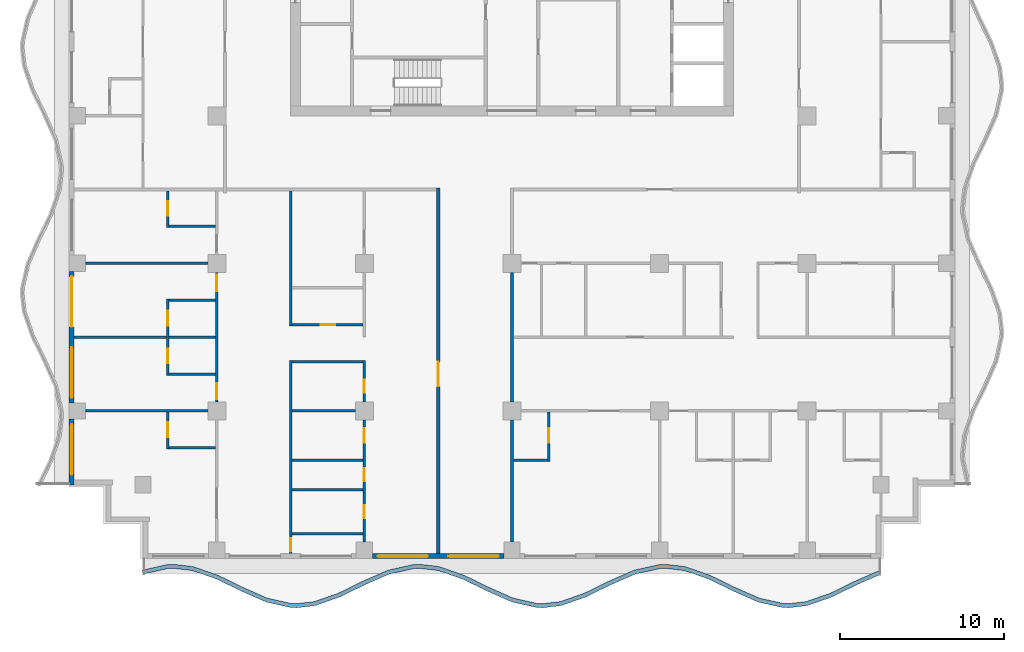
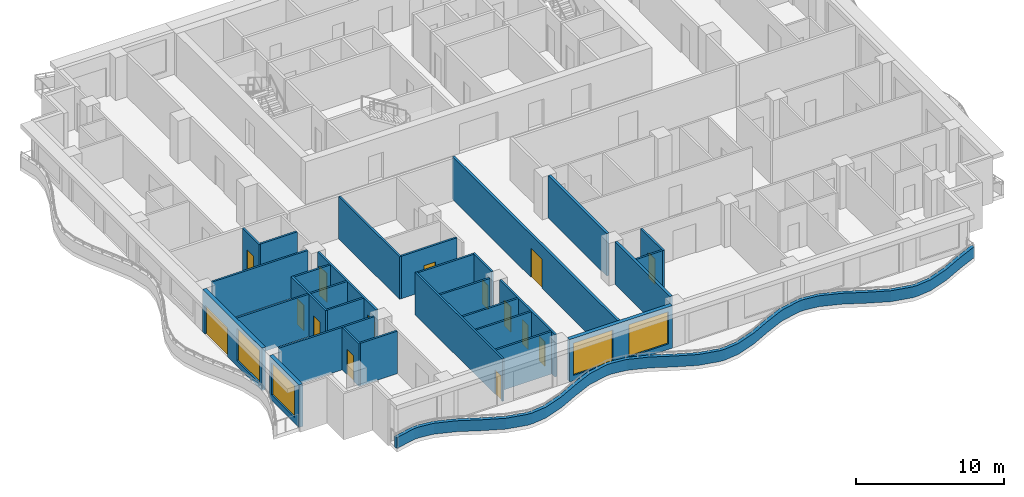
# One storey, part 2 of 11: 31 walls, 15 doors, 4 windows, 19 openings.
"""IFC4 building model written with IfcOpenShell, lengths in metres."""

from ifc_helpers import new_model, si_unit, direction, frame, frame_2d, origin, place, context, subcontext, project, spatial, polyline, rectangle, outline, extrude, material, layer, layer_set, type_object, element, fill, save


model = new_model("IFC4")

# Units and contexts
model_context = context("Model", 3, precision=1e-05, world=origin(), true_north=direction((0.0, 1.0)))
body_context = subcontext(model_context, "Body", "Model", "MODEL_VIEW")
ifc_project = project(units=[si_unit("LENGTHUNIT", "METRE"), si_unit("AREAUNIT", "SQUARE_METRE"), si_unit("VOLUMEUNIT", "CUBIC_METRE"), si_unit("PLANEANGLEUNIT", "RADIAN"), si_unit("MASSUNIT", "GRAM", prefix="KILO")], contexts=[model_context])

# Site, building, storey
site_placement = place(None, origin())
site = spatial("IfcSite", under=ifc_project, at=site_placement, CompositionType="ELEMENT")
building_placement = place(site_placement, origin())
building = spatial("IfcBuilding", under=site, at=building_placement, Name="Orbiselva Terraces", CompositionType="ELEMENT")
storey_placement = place(building_placement, frame((0.0, 0.0, 199.6)))
storey = spatial("IfcBuildingStorey", under=building, at=storey_placement, Name="L50", CompositionType="ELEMENT", Elevation=199.6)

# Wall
ifc_material_1 = material(Name="Concrete C40/50", Category="concrete")
ifc_layer_1 = layer(ifc_material_1, 0.25)
ifc_layer_set_1 = layer_set([ifc_layer_1], Name="Concrete C40/50")
wall_type_1 = type_object("IfcWallType", Name="ENV-PLANTER-250x900", PredefinedType="USERDEFINED", material=ifc_layer_set_1)
wall_1_placement = place(storey_placement, origin())
element("IfcWall", 1, at=wall_1_placement, inside=storey, type_object=wall_type_1, Name="Balcony planter L50 S", ObjectType="PLANTER", PredefinedType="USERDEFINED", context=body_context, shape_type="SweptSolid", body=[
    extrude(outline(polyline([(-22.5, -23.451472), (-21.0, -23.114774), (-20.625, -23.1), (-19.5, -23.230792), (-18.0, -23.755211), (-16.5, -24.487721), (-15.0, -25.148528), (-13.5, -25.485226), (-13.125, -25.5), (-12.0, -25.369208), (-10.5, -24.844789), (-9.0, -24.112279), (-7.5, -23.451472), (-6.0, -23.114774), (-5.625, -23.1), (-4.5, -23.230792), (-3.0, -23.755211), (-1.5, -24.487721), (0.0, -25.148528), (1.5, -25.485226), (1.875, -25.5), (3.0, -25.369208), (4.5, -24.844789), (6.0, -24.112279), (7.5, -23.451472), (9.0, -23.114774), (9.375, -23.1), (10.5, -23.230792), (12.0, -23.755211), (13.5, -24.487721), (15.0, -25.148528), (16.5, -25.485226), (16.875, -25.5), (18.0, -25.369208), (19.5, -24.844789), (21.0, -24.112279), (22.5, -23.451472), (22.399212, -23.222689), (20.894714, -23.885477), (19.40356, -24.613667), (17.943629, -25.124078), (16.865428, -25.249429), (16.532565, -25.236315), (15.078508, -24.90993), (13.605286, -24.260919), (12.09644, -23.524089), (10.556371, -22.985662), (9.384572, -22.849429), (8.967435, -22.865863), (7.421492, -23.212874), (5.894714, -23.885477), (4.40356, -24.613667), (2.943629, -25.124078), (1.865428, -25.249429), (1.532565, -25.236315), (0.078508, -24.90993), (-1.394714, -24.260919), (-2.90356, -23.524089), (-4.443629, -22.985662), (-5.615428, -22.849429), (-6.032565, -22.865863), (-7.578508, -23.212874), (-9.105286, -23.885477), (-10.59644, -24.613667), (-12.056371, -25.124078), (-13.134572, -25.249429), (-13.467435, -25.236315), (-14.921492, -24.90993), (-16.394714, -24.260919), (-17.90356, -23.524089), (-19.443629, -22.985662), (-20.615428, -22.849429), (-21.032565, -22.865863), (-22.554754, -23.207542), (-22.5, -23.451472)])), origin(), (0.0, 0.0, 1.0), 0.9),
])

# Wall, openings, windows
ifc_material_2 = material(Name="Terracotta cladding on masonry backing", Category="masonry")
ifc_layer_2 = layer(ifc_material_2, 0.3)
ifc_layer_set_2 = layer_set([ifc_layer_2], Name="Terracotta cladding on masonry backing")
wall_type_2 = type_object("IfcWallType", Name="ENV-WALL-TERRACOTTA-300", PredefinedType="SOLIDWALL", material=ifc_layer_set_2)
wall_2_placement = place(storey_placement, frame((-0.5, -22.35, 0.0), z_axis=(0.0, 0.0, 1.0), x_axis=(-1.0, 0.0, 0.0)))
wall_2 = element("IfcWall", 2, at=wall_2_placement, inside=storey, type_object=wall_type_2, Name="Facade wall L50 S", PredefinedType="SOLIDWALL", context=body_context, shape_type="SweptSolid", body=[
    extrude(rectangle(XDim=8.0, YDim=0.3, at=frame_2d((4.0, 0.0))), origin(), (0.0, 0.0, 1.0), 3.5),
])
opening_1_placement = place(wall_2_placement, frame((4.625, 0.0, 0.45)))
opening_1 = element("IfcOpeningElement", 3, at=opening_1_placement, cuts=wall_2, Name="Opening WN15", PredefinedType="OPENING", context=body_context, shape_type="SweptSolid", body=[
    extrude(rectangle(XDim=3.075, YDim=2.65, at=frame_2d((1.5375, 1.325))), frame((0.0, 0.16, 0.0), z_axis=(0.0, -1.0, 0.0), x_axis=(1.0, 0.0, 0.0)), (0.0, 0.0, 1.0), 0.32),
])
opening_2_placement = place(wall_2_placement, frame((0.3, 0.0, 0.45)))
opening_2 = element("IfcOpeningElement", 4, at=opening_2_placement, cuts=wall_2, Name="Opening WN15", PredefinedType="OPENING", context=body_context, shape_type="SweptSolid", body=[
    extrude(rectangle(XDim=3.075, YDim=2.65, at=frame_2d((1.5375, 1.325))), frame((0.0, 0.16, 0.0), z_axis=(0.0, -1.0, 0.0), x_axis=(1.0, 0.0, 0.0)), (0.0, 0.0, 1.0), 0.32),
])
ifc_material_3 = material(Name="Clear low-e glazing in aluminium frame", Category="aluminium")
window_type = type_object("IfcWindowType", Name="WINDOW 3075 X 2650 S450", PartitioningType="TRIPLE_PANEL_VERTICAL", PredefinedType="WINDOW", material=ifc_material_3)
window_1_placement = place(opening_1_placement, origin())
window_1 = element("IfcWindow", 5, at=window_1_placement, inside=storey, type_object=window_type, Name="Window L50 S", OverallHeight=2.65, OverallWidth=3.075, PartitioningType="SINGLE_PANEL", PredefinedType="WINDOW", context=body_context, shape_type="SweptSolid", body=[
    extrude(rectangle(XDim=3.075, YDim=2.65, at=frame_2d((1.5375, 1.325))), frame((0.0, 0.03, 0.0), z_axis=(0.0, -1.0, 0.0), x_axis=(1.0, 0.0, 0.0)), (0.0, 0.0, 1.0), 0.06),
])
fill(opening_1, window_1)
window_2_placement = place(opening_2_placement, origin())
window_2 = element("IfcWindow", 6, at=window_2_placement, inside=storey, type_object=window_type, Name="Window L50 S", OverallHeight=2.65, OverallWidth=3.075, PartitioningType="SINGLE_PANEL", PredefinedType="WINDOW", context=body_context, shape_type="SweptSolid", body=[
    extrude(rectangle(XDim=3.075, YDim=2.65, at=frame_2d((1.5375, 1.325))), frame((0.0, 0.03, 0.0), z_axis=(0.0, -1.0, 0.0), x_axis=(1.0, 0.0, 0.0)), (0.0, 0.0, 1.0), 0.06),
])
fill(opening_2, window_2)

# Wall, openings, door, window
wall_3_placement = place(storey_placement, frame((-26.85, -13.0, 0.0), z_axis=(0.0, 0.0, 1.0), x_axis=(0.0, 1.0, 0.0)))
wall_3 = element("IfcWall", 7, at=wall_3_placement, inside=storey, type_object=wall_type_2, Name="Facade wall L50 W", PredefinedType="SOLIDWALL", context=body_context, shape_type="SweptSolid", body=[
    extrude(rectangle(XDim=8.0, YDim=0.3, at=frame_2d((4.0, 0.0))), origin(), (0.0, 0.0, 1.0), 3.5),
])
opening_3_placement = place(wall_3_placement, frame((4.625, 0.0, 0.0)))
opening_3 = element("IfcOpeningElement", 8, at=opening_3_placement, cuts=wall_3, Name="Opening Z4-B-E21", PredefinedType="OPENING", context=body_context, shape_type="SweptSolid", body=[
    extrude(rectangle(XDim=3.075, YDim=2.4, at=frame_2d((1.5375, 1.2))), frame((0.0, 0.16, 0.0), z_axis=(0.0, -1.0, 0.0), x_axis=(1.0, 0.0, 0.0)), (0.0, 0.0, 1.0), 0.32),
])
opening_4_placement = place(wall_3_placement, frame((0.3, 0.0, 0.45)))
opening_4 = element("IfcOpeningElement", 9, at=opening_4_placement, cuts=wall_3, Name="Opening WN15", PredefinedType="OPENING", context=body_context, shape_type="SweptSolid", body=[
    extrude(rectangle(XDim=3.075, YDim=2.65, at=frame_2d((1.5375, 1.325))), frame((0.0, 0.16, 0.0), z_axis=(0.0, -1.0, 0.0), x_axis=(1.0, 0.0, 0.0)), (0.0, 0.0, 1.0), 0.32),
])
door_type_1 = type_object("IfcDoorType", Name="BALCONY DOOR 3075 X 2400", OperationType="DOUBLE_DOOR_SLIDING", PredefinedType="DOOR", material=ifc_material_3)
door_1_placement = place(opening_3_placement, origin())
door_1 = element("IfcDoor", 10, at=door_1_placement, inside=storey, type_object=door_type_1, Name="Z4-B-E21", OperationType="SINGLE_SWING_LEFT", OverallHeight=2.4, OverallWidth=3.075, PredefinedType="DOOR", context=body_context, shape_type="SweptSolid", body=[
    extrude(rectangle(XDim=3.075, YDim=2.4, at=frame_2d((1.5375, 1.2))), frame((0.0, 0.025, 0.0), z_axis=(0.0, -1.0, 0.0), x_axis=(1.0, 0.0, 0.0)), (0.0, 0.0, 1.0), 0.05),
])
fill(opening_3, door_1)
window_3_placement = place(opening_4_placement, origin())
window_3 = element("IfcWindow", 11, at=window_3_placement, inside=storey, type_object=window_type, Name="Window L50 W", OverallHeight=2.65, OverallWidth=3.075, PartitioningType="SINGLE_PANEL", PredefinedType="WINDOW", context=body_context, shape_type="SweptSolid", body=[
    extrude(rectangle(XDim=3.075, YDim=2.65, at=frame_2d((1.5375, 1.325))), frame((0.0, 0.03, 0.0), z_axis=(0.0, -1.0, 0.0), x_axis=(1.0, 0.0, 0.0)), (0.0, 0.0, 1.0), 0.06),
])
fill(opening_4, window_3)

# Wall, opening, window
wall_4_placement = place(storey_placement, frame((-26.85, -18.0, 0.0), z_axis=(0.0, 0.0, 1.0), x_axis=(0.0, 1.0, 0.0)))
wall_4 = element("IfcWall", 12, at=wall_4_placement, inside=storey, type_object=wall_type_2, Name="Facade wall L50 W", PredefinedType="SOLIDWALL", context=body_context, shape_type="SweptSolid", body=[
    extrude(rectangle(XDim=4.0, YDim=0.3, at=frame_2d((2.0, 0.0))), origin(), (0.0, 0.0, 1.0), 3.5),
])
opening_5_placement = place(wall_4_placement, frame((0.625, 0.0, 0.45)))
opening_5 = element("IfcOpeningElement", 13, at=opening_5_placement, cuts=wall_4, Name="Opening WN15", PredefinedType="OPENING", context=body_context, shape_type="SweptSolid", body=[
    extrude(rectangle(XDim=3.075, YDim=2.65, at=frame_2d((1.5375, 1.325))), frame((0.0, 0.16, 0.0), z_axis=(0.0, -1.0, 0.0), x_axis=(1.0, 0.0, 0.0)), (0.0, 0.0, 1.0), 0.32),
])
window_4_placement = place(opening_5_placement, origin())
window_4 = element("IfcWindow", 14, at=window_4_placement, inside=storey, type_object=window_type, Name="Window L50 W", OverallHeight=2.65, OverallWidth=3.075, PartitioningType="SINGLE_PANEL", PredefinedType="WINDOW", context=body_context, shape_type="SweptSolid", body=[
    extrude(rectangle(XDim=3.075, YDim=2.65, at=frame_2d((1.5375, 1.325))), frame((0.0, 0.03, 0.0), z_axis=(0.0, -1.0, 0.0), x_axis=(1.0, 0.0, 0.0)), (0.0, 0.0, 1.0), 0.06),
])
fill(opening_5, window_4)

# Wall, opening, door
ifc_material_4 = material(Name="Plasterboard on steel stud partition", Category="steel")
ifc_layer_3 = layer(ifc_material_4, 0.2)
ifc_layer_set_3 = layer_set([ifc_layer_3], Name="Plasterboard on steel stud partition")
wall_type_3 = type_object("IfcWallType", Name="UNIT-ENTRANCE-WALL-200", PredefinedType="PARTITIONING", material=ifc_layer_set_3)
wall_5_placement = place(storey_placement, frame((-4.5, -22.2, 0.0), z_axis=(0.0, 0.0, 1.0), x_axis=(0.0, 1.0, 0.0)))
wall_5 = element("IfcWall", 15, at=wall_5_placement, inside=storey, type_object=wall_type_3, Name="PARTITION L50-061", PredefinedType="PARTITIONING", context=body_context, shape_type="SweptSolid", body=[
    extrude(rectangle(XDim=22.3, YDim=0.2, at=frame_2d((11.15, 0.0))), origin(), (0.0, 0.0, 1.0), 3.5),
])
opening_6_placement = place(wall_5_placement, frame((10.2, 0.0, 0.0)))
opening_6 = element("IfcOpeningElement", 16, at=opening_6_placement, cuts=wall_5, Name="Opening Z4-B-14", PredefinedType="OPENING", context=body_context, shape_type="SweptSolid", body=[
    extrude(rectangle(XDim=1.5, YDim=2.4, at=frame_2d((0.75, 1.2))), frame((0.0, 0.11, 0.0), z_axis=(0.0, -1.0, 0.0), x_axis=(1.0, 0.0, 0.0)), (0.0, 0.0, 1.0), 0.22),
])
ifc_material_5 = material(Name="Painted timber door leaf", Category="wood")
door_type_2 = type_object("IfcDoorType", Name="ENTRANCE DOUBLE DOOR 1500", OperationType="NOTDEFINED", PredefinedType="DOOR", material=ifc_material_5)
door_2_placement = place(opening_6_placement, origin())
door_2 = element("IfcDoor", 17, at=door_2_placement, inside=storey, type_object=door_type_2, Name="Z4-B-14", OperationType="DOUBLE_DOOR_SINGLE_SWING", OverallHeight=2.4, OverallWidth=1.5, PredefinedType="DOOR", context=body_context, shape_type="SweptSolid", body=[
    extrude(rectangle(XDim=1.5, YDim=2.4, at=frame_2d((0.75, 1.2))), frame((0.0, 0.025, 0.0), z_axis=(0.0, -1.0, 0.0), x_axis=(1.0, 0.0, 0.0)), (0.0, 0.0, 1.0), 0.05),
])
fill(opening_6, door_2)

# Walls
wall_6_placement = place(storey_placement, frame((0.0, -21.5, 0.0), z_axis=(0.0, 0.0, 1.0), x_axis=(0.0, 1.0, 0.0)))
element("IfcWall", 18, at=wall_6_placement, inside=storey, type_object=wall_type_3, Name="PARTITION L50-062", PredefinedType="PARTITIONING", context=body_context, shape_type="SweptSolid", body=[
    extrude(rectangle(XDim=7.45, YDim=0.2, at=frame_2d((3.725, 0.0))), origin(), (0.0, 0.0, 1.0), 3.5),
])
wall_7_placement = place(storey_placement, frame((0.0, -12.95, 0.0), z_axis=(0.0, 0.0, 1.0), x_axis=(0.0, 1.0, 0.0)))
element("IfcWall", 19, at=wall_7_placement, inside=storey, type_object=wall_type_3, Name="PARTITION L50-063", PredefinedType="PARTITIONING", context=body_context, shape_type="SweptSolid", body=[
    extrude(rectangle(XDim=7.9, YDim=0.2, at=frame_2d((3.95, 0.0))), origin(), (0.0, 0.0, 1.0), 3.5),
])
ifc_layer_4 = layer(ifc_material_4, 0.15)
ifc_layer_set_4 = layer_set([ifc_layer_4], Name="Plasterboard on steel stud partition")
wall_type_4 = type_object("IfcWallType", Name="UNIT-PARTITION-150", PredefinedType="PARTITIONING", material=ifc_layer_set_4)
for number, where, z_axis, x_axis, name in (
    (20, (-13.425, -21.0, 0.0), (0.0, 0.0, 1.0), (1.0, 0.0, 0.0), "PARTITION L50-001"),
    (21, (-13.425, -18.3, 0.0), (0.0, 0.0, 1.0), (1.0, 0.0, 0.0), "PARTITION L50-002"),
    (22, (-13.425, -16.5, 0.0), (0.0, 0.0, 1.0), (1.0, 0.0, 0.0), "PARTITION L50-003"),
):
    element("IfcWall", number, at=place(storey_placement, frame(where, z_axis=z_axis, x_axis=x_axis)), inside=storey, type_object=wall_type_4, Name=name, PredefinedType="PARTITIONING", context=body_context, shape_type="SweptSolid", body=[
        extrude(rectangle(XDim=4.35, YDim=0.15, at=frame_2d((2.175, 0.0))), origin(), (0.0, 0.0, 1.0), 3.5),
    ])
wall_8_placement = place(storey_placement, frame((0.1, -16.5, 0.0), z_axis=(0.0, 0.0, 1.0), x_axis=(1.0, 0.0, 0.0)))
element("IfcWall", 23, at=wall_8_placement, inside=storey, type_object=wall_type_4, Name="PARTITION L50-004", PredefinedType="PARTITIONING", context=body_context, shape_type="SweptSolid", body=[
    extrude(rectangle(XDim=2.075, YDim=0.15, at=frame_2d((1.0375, 0.0))), origin(), (0.0, 0.0, 1.0), 3.5),
])
wall_9_placement = place(storey_placement, frame((-20.925, -15.75, 0.0), z_axis=(0.0, 0.0, 1.0), x_axis=(1.0, 0.0, 0.0)))
element("IfcWall", 24, at=wall_9_placement, inside=storey, type_object=wall_type_4, Name="PARTITION L50-008", PredefinedType="PARTITIONING", context=body_context, shape_type="SweptSolid", body=[
    extrude(rectangle(XDim=2.85, YDim=0.15, at=frame_2d((1.425, 0.0))), origin(), (0.0, 0.0, 1.0), 3.5),
])
wall_10_placement = place(storey_placement, frame((-26.0, -13.5, 0.0), z_axis=(0.0, 0.0, 1.0), x_axis=(1.0, 0.0, 0.0)))
element("IfcWall", 25, at=wall_10_placement, inside=storey, type_object=wall_type_4, Name="PARTITION L50-009", PredefinedType="PARTITIONING", context=body_context, shape_type="SweptSolid", body=[
    extrude(rectangle(XDim=7.45, YDim=0.15, at=frame_2d((3.725, 0.0))), origin(), (0.0, 0.0, 1.0), 3.5),
])
wall_11_placement = place(storey_placement, frame((-13.425, -13.5, 0.0), z_axis=(0.0, 0.0, 1.0), x_axis=(1.0, 0.0, 0.0)))
element("IfcWall", 26, at=wall_11_placement, inside=storey, type_object=wall_type_4, Name="PARTITION L50-010", PredefinedType="PARTITIONING", context=body_context, shape_type="SweptSolid", body=[
    extrude(rectangle(XDim=3.875, YDim=0.15, at=frame_2d((1.9375, 0.0))), origin(), (0.0, 0.0, 1.0), 3.5),
])
wall_12_placement = place(storey_placement, frame((-20.925, -11.25, 0.0), z_axis=(0.0, 0.0, 1.0), x_axis=(1.0, 0.0, 0.0)))
element("IfcWall", 27, at=wall_12_placement, inside=storey, type_object=wall_type_4, Name="PARTITION L50-014", PredefinedType="PARTITIONING", context=body_context, shape_type="SweptSolid", body=[
    extrude(rectangle(XDim=2.85, YDim=0.15, at=frame_2d((1.425, 0.0))), origin(), (0.0, 0.0, 1.0), 3.5),
])
wall_13_placement = place(storey_placement, frame((-13.425, -10.5, 0.0), z_axis=(0.0, 0.0, 1.0), x_axis=(1.0, 0.0, 0.0)))
element("IfcWall", 28, at=wall_13_placement, inside=storey, type_object=wall_type_4, Name="PARTITION L50-015", PredefinedType="PARTITIONING", context=body_context, shape_type="SweptSolid", body=[
    extrude(rectangle(XDim=4.35, YDim=0.15, at=frame_2d((2.175, 0.0))), origin(), (0.0, 0.0, 1.0), 3.5),
])
wall_14_placement = place(storey_placement, frame((-26.7, -9.0, 0.0), z_axis=(0.0, 0.0, 1.0), x_axis=(1.0, 0.0, 0.0)))
element("IfcWall", 29, at=wall_14_placement, inside=storey, type_object=wall_type_4, Name="PARTITION L50-016", PredefinedType="PARTITIONING", context=body_context, shape_type="SweptSolid", body=[
    extrude(rectangle(XDim=5.625, YDim=0.15, at=frame_2d((2.8125, 0.0))), origin(), (0.0, 0.0, 1.0), 3.5),
])
wall_15_placement = place(storey_placement, frame((-20.925, -9.0, 0.0), z_axis=(0.0, 0.0, 1.0), x_axis=(1.0, 0.0, 0.0)))
element("IfcWall", 30, at=wall_15_placement, inside=storey, type_object=wall_type_4, Name="PARTITION L50-017", PredefinedType="PARTITIONING", context=body_context, shape_type="SweptSolid", body=[
    extrude(rectangle(XDim=2.85, YDim=0.15, at=frame_2d((1.425, 0.0))), origin(), (0.0, 0.0, 1.0), 3.5),
])

# Wall, opening, door
wall_16_placement = place(storey_placement, frame((-13.425, -8.25, 0.0), z_axis=(0.0, 0.0, 1.0), x_axis=(1.0, 0.0, 0.0)))
wall_16 = element("IfcWall", 31, at=wall_16_placement, inside=storey, type_object=wall_type_4, Name="PARTITION L50-020", PredefinedType="PARTITIONING", context=body_context, shape_type="SweptSolid", body=[
    extrude(rectangle(XDim=4.35, YDim=0.15, at=frame_2d((2.175, 0.0))), origin(), (0.0, 0.0, 1.0), 3.5),
])
opening_7_placement = place(wall_16_placement, frame((1.75, 0.0, 0.0)))
opening_7 = element("IfcOpeningElement", 32, at=opening_7_placement, cuts=wall_16, Name="Opening Z4-B-16", PredefinedType="OPENING", context=body_context, shape_type="SweptSolid", body=[
    extrude(rectangle(XDim=0.9, YDim=2.1, at=frame_2d((0.45, 1.05))), frame((0.0, 0.085, 0.0), z_axis=(0.0, -1.0, 0.0), x_axis=(1.0, 0.0, 0.0)), (0.0, 0.0, 1.0), 0.17),
])
door_type_3 = type_object("IfcDoorType", Name="BATH DOOR 900", OperationType="NOTDEFINED", PredefinedType="DOOR", material=ifc_material_5)
door_3_placement = place(opening_7_placement, origin())
door_3 = element("IfcDoor", 33, at=door_3_placement, inside=storey, type_object=door_type_3, Name="Z4-B-16", OperationType="SINGLE_SWING_RIGHT", OverallHeight=2.1, OverallWidth=0.9, PredefinedType="DOOR", context=body_context, shape_type="SweptSolid", body=[
    extrude(rectangle(XDim=0.9, YDim=2.1, at=frame_2d((0.45, 1.05))), frame((0.0, 0.025, 0.0), z_axis=(0.0, -1.0, 0.0), x_axis=(1.0, 0.0, 0.0)), (0.0, 0.0, 1.0), 0.05),
])
fill(opening_7, door_3)

# Walls
wall_17_placement = place(storey_placement, frame((-20.925, -6.75, 0.0), z_axis=(0.0, 0.0, 1.0), x_axis=(1.0, 0.0, 0.0)))
element("IfcWall", 34, at=wall_17_placement, inside=storey, type_object=wall_type_4, Name="PARTITION L50-021", PredefinedType="PARTITIONING", context=body_context, shape_type="SweptSolid", body=[
    extrude(rectangle(XDim=2.85, YDim=0.15, at=frame_2d((1.425, 0.0))), origin(), (0.0, 0.0, 1.0), 3.5),
])
wall_18_placement = place(storey_placement, frame((-26.0, -4.5, 0.0), z_axis=(0.0, 0.0, 1.0), x_axis=(1.0, 0.0, 0.0)))
element("IfcWall", 35, at=wall_18_placement, inside=storey, type_object=wall_type_4, Name="PARTITION L50-023", PredefinedType="PARTITIONING", context=body_context, shape_type="SweptSolid", body=[
    extrude(rectangle(XDim=7.45, YDim=0.15, at=frame_2d((3.725, 0.0))), origin(), (0.0, 0.0, 1.0), 3.5),
])
wall_19_placement = place(storey_placement, frame((-20.925, -2.25, 0.0), z_axis=(0.0, 0.0, 1.0), x_axis=(1.0, 0.0, 0.0)))
element("IfcWall", 36, at=wall_19_placement, inside=storey, type_object=wall_type_4, Name="PARTITION L50-028", PredefinedType="PARTITIONING", context=body_context, shape_type="SweptSolid", body=[
    extrude(rectangle(XDim=2.85, YDim=0.15, at=frame_2d((1.425, 0.0))), origin(), (0.0, 0.0, 1.0), 3.5),
])

# Wall, opening, door
wall_20_placement = place(storey_placement, frame((-21.0, -13.575, 0.0), z_axis=(0.0, 0.0, 1.0), x_axis=(0.0, -1.0, 0.0)))
wall_20 = element("IfcWall", 37, at=wall_20_placement, inside=storey, type_object=wall_type_4, Name="PARTITION L50-046", PredefinedType="PARTITIONING", context=body_context, shape_type="SweptSolid", body=[
    extrude(rectangle(XDim=2.25, YDim=0.15, at=frame_2d((1.125, 0.0))), origin(), (0.0, 0.0, 1.0), 3.5),
])
opening_8_placement = place(wall_20_placement, frame((0.625, 0.0, 0.0)))
opening_8 = element("IfcOpeningElement", 38, at=opening_8_placement, cuts=wall_20, Name="Opening Z4-B-29", PredefinedType="OPENING", context=body_context, shape_type="SweptSolid", body=[
    extrude(rectangle(XDim=0.9, YDim=2.1, at=frame_2d((0.45, 1.05))), frame((0.0, 0.085, 0.0), z_axis=(0.0, -1.0, 0.0), x_axis=(1.0, 0.0, 0.0)), (0.0, 0.0, 1.0), 0.17),
])
door_4_placement = place(opening_8_placement, origin())
door_4 = element("IfcDoor", 39, at=door_4_placement, inside=storey, type_object=door_type_3, Name="Z4-B-29", OperationType="SINGLE_SWING_LEFT", OverallHeight=2.1, OverallWidth=0.9, PredefinedType="DOOR", context=body_context, shape_type="SweptSolid", body=[
    extrude(rectangle(XDim=0.9, YDim=2.1, at=frame_2d((0.45, 1.05))), frame((0.0, 0.025, 0.0), z_axis=(0.0, -1.0, 0.0), x_axis=(1.0, 0.0, 0.0)), (0.0, 0.0, 1.0), 0.05),
])
fill(opening_8, door_4)

# Wall, openings, doors
wall_21_placement = place(storey_placement, frame((-21.0, -6.675, 0.0), z_axis=(0.0, 0.0, 1.0), x_axis=(0.0, -1.0, 0.0)))
wall_21 = element("IfcWall", 40, at=wall_21_placement, inside=storey, type_object=wall_type_4, Name="PARTITION L50-047", PredefinedType="PARTITIONING", context=body_context, shape_type="SweptSolid", body=[
    extrude(rectangle(XDim=4.65, YDim=0.15, at=frame_2d((2.325, 0.0))), origin(), (0.0, 0.0, 1.0), 3.5),
])
opening_9_placement = place(wall_21_placement, frame((0.725, 0.0, 0.0)))
opening_9 = element("IfcOpeningElement", 41, at=opening_9_placement, cuts=wall_21, Name="Opening Z4-B-25", PredefinedType="OPENING", context=body_context, shape_type="SweptSolid", body=[
    extrude(rectangle(XDim=0.9, YDim=2.1, at=frame_2d((0.45, 1.05))), frame((0.0, 0.085, 0.0), z_axis=(0.0, -1.0, 0.0), x_axis=(1.0, 0.0, 0.0)), (0.0, 0.0, 1.0), 0.17),
])
opening_10_placement = place(wall_21_placement, frame((3.025, 0.0, 0.0)))
opening_10 = element("IfcOpeningElement", 42, at=opening_10_placement, cuts=wall_21, Name="Opening Z4-B-27", PredefinedType="OPENING", context=body_context, shape_type="SweptSolid", body=[
    extrude(rectangle(XDim=0.9, YDim=2.1, at=frame_2d((0.45, 1.05))), frame((0.0, 0.085, 0.0), z_axis=(0.0, -1.0, 0.0), x_axis=(1.0, 0.0, 0.0)), (0.0, 0.0, 1.0), 0.17),
])
door_5_placement = place(opening_9_placement, origin())
door_5 = element("IfcDoor", 43, at=door_5_placement, inside=storey, type_object=door_type_3, Name="Z4-B-25", OperationType="SINGLE_SWING_LEFT", OverallHeight=2.1, OverallWidth=0.9, PredefinedType="DOOR", context=body_context, shape_type="SweptSolid", body=[
    extrude(rectangle(XDim=0.9, YDim=2.1, at=frame_2d((0.45, 1.05))), frame((0.0, 0.025, 0.0), z_axis=(0.0, -1.0, 0.0), x_axis=(1.0, 0.0, 0.0)), (0.0, 0.0, 1.0), 0.05),
])
fill(opening_9, door_5)
door_6_placement = place(opening_10_placement, origin())
door_6 = element("IfcDoor", 44, at=door_6_placement, inside=storey, type_object=door_type_3, Name="Z4-B-27", OperationType="SINGLE_SWING_RIGHT", OverallHeight=2.1, OverallWidth=0.9, PredefinedType="DOOR", context=body_context, shape_type="SweptSolid", body=[
    extrude(rectangle(XDim=0.9, YDim=2.1, at=frame_2d((0.45, 1.05))), frame((0.0, 0.025, 0.0), z_axis=(0.0, -1.0, 0.0), x_axis=(1.0, 0.0, 0.0)), (0.0, 0.0, 1.0), 0.05),
])
fill(opening_10, door_6)

# Wall, opening, door
wall_22_placement = place(storey_placement, frame((-21.0, -0.1, 0.0), z_axis=(0.0, 0.0, 1.0), x_axis=(0.0, -1.0, 0.0)))
wall_22 = element("IfcWall", 45, at=wall_22_placement, inside=storey, type_object=wall_type_4, Name="PARTITION L50-048", PredefinedType="PARTITIONING", context=body_context, shape_type="SweptSolid", body=[
    extrude(rectangle(XDim=2.225, YDim=0.15, at=frame_2d((1.1125, 0.0))), origin(), (0.0, 0.0, 1.0), 3.5),
])
opening_11_placement = place(wall_22_placement, frame((0.6, 0.0, 0.0)))
opening_11 = element("IfcOpeningElement", 46, at=opening_11_placement, cuts=wall_22, Name="Opening Z4-B-23", PredefinedType="OPENING", context=body_context, shape_type="SweptSolid", body=[
    extrude(rectangle(XDim=0.9, YDim=2.1, at=frame_2d((0.45, 1.05))), frame((0.0, 0.085, 0.0), z_axis=(0.0, -1.0, 0.0), x_axis=(1.0, 0.0, 0.0)), (0.0, 0.0, 1.0), 0.17),
])
door_7_placement = place(opening_11_placement, origin())
door_7 = element("IfcDoor", 47, at=door_7_placement, inside=storey, type_object=door_type_3, Name="Z4-B-23", OperationType="SINGLE_SWING_LEFT", OverallHeight=2.1, OverallWidth=0.9, PredefinedType="DOOR", context=body_context, shape_type="SweptSolid", body=[
    extrude(rectangle(XDim=0.9, YDim=2.1, at=frame_2d((0.45, 1.05))), frame((0.0, 0.025, 0.0), z_axis=(0.0, -1.0, 0.0), x_axis=(1.0, 0.0, 0.0)), (0.0, 0.0, 1.0), 0.05),
])
fill(opening_11, door_7)

# Wall, openings, doors
wall_23_placement = place(storey_placement, frame((-18.0, -12.95, 0.0), z_axis=(0.0, 0.0, 1.0), x_axis=(0.0, 1.0, 0.0)))
wall_23 = element("IfcWall", 48, at=wall_23_placement, inside=storey, type_object=wall_type_4, Name="PARTITION L50-050", PredefinedType="PARTITIONING", context=body_context, shape_type="SweptSolid", body=[
    extrude(rectangle(XDim=7.9, YDim=0.15, at=frame_2d((3.95, 0.0))), origin(), (0.0, 0.0, 1.0), 3.5),
])
opening_12_placement = place(wall_23_placement, frame((6.75, 0.0, 0.0)))
opening_12 = element("IfcOpeningElement", 49, at=opening_12_placement, cuts=wall_23, Name="Opening Z4-B-24", PredefinedType="OPENING", context=body_context, shape_type="SweptSolid", body=[
    extrude(rectangle(XDim=1.0, YDim=2.4, at=frame_2d((0.5, 1.2))), frame((0.0, 0.085, 0.0), z_axis=(0.0, -1.0, 0.0), x_axis=(1.0, 0.0, 0.0)), (0.0, 0.0, 1.0), 0.17),
])
opening_13_placement = place(wall_23_placement, frame((0.15, 0.0, 0.0)))
opening_13 = element("IfcOpeningElement", 50, at=opening_13_placement, cuts=wall_23, Name="Opening Z4-B-26", PredefinedType="OPENING", context=body_context, shape_type="SweptSolid", body=[
    extrude(rectangle(XDim=1.0, YDim=2.4, at=frame_2d((0.5, 1.2))), frame((0.0, 0.085, 0.0), z_axis=(0.0, -1.0, 0.0), x_axis=(1.0, 0.0, 0.0)), (0.0, 0.0, 1.0), 0.17),
])
door_type_4 = type_object("IfcDoorType", Name="ROOM DOOR 1000", OperationType="NOTDEFINED", PredefinedType="DOOR", material=ifc_material_5)
door_8_placement = place(opening_12_placement, origin())
door_8 = element("IfcDoor", 51, at=door_8_placement, inside=storey, type_object=door_type_4, Name="Z4-B-24", OperationType="SINGLE_SWING_RIGHT", OverallHeight=2.4, OverallWidth=1.0, PredefinedType="DOOR", context=body_context, shape_type="SweptSolid", body=[
    extrude(rectangle(XDim=1.0, YDim=2.4, at=frame_2d((0.5, 1.2))), frame((0.0, 0.025, 0.0), z_axis=(0.0, -1.0, 0.0), x_axis=(1.0, 0.0, 0.0)), (0.0, 0.0, 1.0), 0.05),
])
fill(opening_12, door_8)
door_9_placement = place(opening_13_placement, origin())
door_9 = element("IfcDoor", 52, at=door_9_placement, inside=storey, type_object=door_type_4, Name="Z4-B-26", OperationType="SINGLE_SWING_LEFT", OverallHeight=2.4, OverallWidth=1.0, PredefinedType="DOOR", context=body_context, shape_type="SweptSolid", body=[
    extrude(rectangle(XDim=1.0, YDim=2.4, at=frame_2d((0.5, 1.2))), frame((0.0, 0.025, 0.0), z_axis=(0.0, -1.0, 0.0), x_axis=(1.0, 0.0, 0.0)), (0.0, 0.0, 1.0), 0.05),
])
fill(opening_13, door_9)

# Wall, opening, door
wall_24_placement = place(storey_placement, frame((-13.5, -10.425, 0.0), z_axis=(0.0, 0.0, 1.0), x_axis=(0.0, -1.0, 0.0)))
wall_24 = element("IfcWall", 53, at=wall_24_placement, inside=storey, type_object=wall_type_4, Name="PARTITION L50-055", PredefinedType="PARTITIONING", context=body_context, shape_type="SweptSolid", body=[
    extrude(rectangle(XDim=11.775, YDim=0.15, at=frame_2d((5.8875, 0.0))), origin(), (0.0, 0.0, 1.0), 3.5),
])
opening_14_placement = place(wall_24_placement, frame((10.825, 0.0, 0.0)))
opening_14 = element("IfcOpeningElement", 54, at=opening_14_placement, cuts=wall_24, Name="Opening Z4-B-21", PredefinedType="OPENING", context=body_context, shape_type="SweptSolid", body=[
    extrude(rectangle(XDim=0.8, YDim=2.0, at=frame_2d((0.4, 1.0))), frame((0.0, 0.085, 0.0), z_axis=(0.0, -1.0, 0.0), x_axis=(1.0, 0.0, 0.0)), (0.0, 0.0, 1.0), 0.17),
])
door_type_5 = type_object("IfcDoorType", Name="STORE DOOR 800", OperationType="NOTDEFINED", PredefinedType="DOOR", material=ifc_material_5)
door_10_placement = place(opening_14_placement, origin())
door_10 = element("IfcDoor", 55, at=door_10_placement, inside=storey, type_object=door_type_5, Name="Z4-B-21", OperationType="SINGLE_SWING_RIGHT", OverallHeight=2.0, OverallWidth=0.8, PredefinedType="DOOR", context=body_context, shape_type="SweptSolid", body=[
    extrude(rectangle(XDim=0.8, YDim=2.0, at=frame_2d((0.4, 1.0))), frame((0.0, 0.025, 0.0), z_axis=(0.0, -1.0, 0.0), x_axis=(1.0, 0.0, 0.0)), (0.0, 0.0, 1.0), 0.05),
])
fill(opening_14, door_10)

# Wall
wall_25_placement = place(storey_placement, frame((-13.5, -8.325, 0.0), z_axis=(0.0, 0.0, 1.0), x_axis=(0.0, 1.0, 0.0)))
element("IfcWall", 56, at=wall_25_placement, inside=storey, type_object=wall_type_4, Name="PARTITION L50-056", PredefinedType="PARTITIONING", context=body_context, shape_type="SweptSolid", body=[
    extrude(rectangle(XDim=8.225, YDim=0.15, at=frame_2d((4.1125, 0.0))), origin(), (0.0, 0.0, 1.0), 3.5),
])

# Wall, openings, doors
wall_26_placement = place(storey_placement, frame((-9.0, -21.5, 0.0), z_axis=(0.0, 0.0, 1.0), x_axis=(0.0, 1.0, 0.0)))
wall_26 = element("IfcWall", 57, at=wall_26_placement, inside=storey, type_object=wall_type_4, Name="PARTITION L50-057", PredefinedType="PARTITIONING", context=body_context, shape_type="SweptSolid", body=[
    extrude(rectangle(XDim=7.45, YDim=0.15, at=frame_2d((3.725, 0.0))), origin(), (0.0, 0.0, 1.0), 3.5),
])
opening_15_placement = place(wall_26_placement, frame((6.05, 0.0, 0.0)))
opening_15 = element("IfcOpeningElement", 58, at=opening_15_placement, cuts=wall_26, Name="Opening Z4-B-18", PredefinedType="OPENING", context=body_context, shape_type="SweptSolid", body=[
    extrude(rectangle(XDim=0.9, YDim=2.1, at=frame_2d((0.45, 1.05))), frame((0.0, 0.085, 0.0), z_axis=(0.0, -1.0, 0.0), x_axis=(1.0, 0.0, 0.0)), (0.0, 0.0, 1.0), 0.17),
])
opening_16_placement = place(wall_26_placement, frame((3.7, 0.0, 0.0)))
opening_16 = element("IfcOpeningElement", 59, at=opening_16_placement, cuts=wall_26, Name="Opening Z4-B-19", PredefinedType="OPENING", context=body_context, shape_type="SweptSolid", body=[
    extrude(rectangle(XDim=0.8, YDim=2.0, at=frame_2d((0.4, 1.0))), frame((0.0, 0.085, 0.0), z_axis=(0.0, -1.0, 0.0), x_axis=(1.0, 0.0, 0.0)), (0.0, 0.0, 1.0), 0.17),
])
opening_17_placement = place(wall_26_placement, frame((1.45, 0.0, 0.0)))
opening_17 = element("IfcOpeningElement", 60, at=opening_17_placement, cuts=wall_26, Name="Opening Z4-B-20", PredefinedType="OPENING", context=body_context, shape_type="SweptSolid", body=[
    extrude(rectangle(XDim=0.8, YDim=2.0, at=frame_2d((0.4, 1.0))), frame((0.0, 0.085, 0.0), z_axis=(0.0, -1.0, 0.0), x_axis=(1.0, 0.0, 0.0)), (0.0, 0.0, 1.0), 0.17),
])
door_type_6 = type_object("IfcDoorType", Name="SERVICE DOOR 900", OperationType="NOTDEFINED", PredefinedType="DOOR", material=ifc_material_5)
door_11_placement = place(opening_15_placement, origin())
door_11 = element("IfcDoor", 61, at=door_11_placement, inside=storey, type_object=door_type_6, Name="Z4-B-18", OperationType="SINGLE_SWING_RIGHT", OverallHeight=2.1, OverallWidth=0.9, PredefinedType="DOOR", context=body_context, shape_type="SweptSolid", body=[
    extrude(rectangle(XDim=0.9, YDim=2.1, at=frame_2d((0.45, 1.05))), frame((0.0, 0.025, 0.0), z_axis=(0.0, -1.0, 0.0), x_axis=(1.0, 0.0, 0.0)), (0.0, 0.0, 1.0), 0.05),
])
fill(opening_15, door_11)
door_12_placement = place(opening_16_placement, origin())
door_12 = element("IfcDoor", 62, at=door_12_placement, inside=storey, type_object=door_type_5, Name="Z4-B-19", OperationType="SINGLE_SWING_RIGHT", OverallHeight=2.0, OverallWidth=0.8, PredefinedType="DOOR", context=body_context, shape_type="SweptSolid", body=[
    extrude(rectangle(XDim=0.8, YDim=2.0, at=frame_2d((0.4, 1.0))), frame((0.0, 0.025, 0.0), z_axis=(0.0, -1.0, 0.0), x_axis=(1.0, 0.0, 0.0)), (0.0, 0.0, 1.0), 0.05),
])
fill(opening_16, door_12)
door_13_placement = place(opening_17_placement, origin())
door_13 = element("IfcDoor", 63, at=door_13_placement, inside=storey, type_object=door_type_5, Name="Z4-B-20", OperationType="SINGLE_SWING_LEFT", OverallHeight=2.0, OverallWidth=0.8, PredefinedType="DOOR", context=body_context, shape_type="SweptSolid", body=[
    extrude(rectangle(XDim=0.8, YDim=2.0, at=frame_2d((0.4, 1.0))), frame((0.0, 0.025, 0.0), z_axis=(0.0, -1.0, 0.0), x_axis=(1.0, 0.0, 0.0)), (0.0, 0.0, 1.0), 0.05),
])
fill(opening_17, door_13)

# Wall, opening, door
wall_27_placement = place(storey_placement, frame((-9.0, -12.95, 0.0), z_axis=(0.0, 0.0, 1.0), x_axis=(0.0, 1.0, 0.0)))
wall_27 = element("IfcWall", 64, at=wall_27_placement, inside=storey, type_object=wall_type_4, Name="PARTITION L50-058", PredefinedType="PARTITIONING", context=body_context, shape_type="SweptSolid", body=[
    extrude(rectangle(XDim=2.525, YDim=0.15, at=frame_2d((1.2625, 0.0))), origin(), (0.0, 0.0, 1.0), 3.5),
])
opening_18_placement = place(wall_27_placement, frame((0.55, 0.0, 0.0)))
opening_18 = element("IfcOpeningElement", 65, at=opening_18_placement, cuts=wall_27, Name="Opening Z4-B-17", PredefinedType="OPENING", context=body_context, shape_type="SweptSolid", body=[
    extrude(rectangle(XDim=0.8, YDim=2.0, at=frame_2d((0.4, 1.0))), frame((0.0, 0.085, 0.0), z_axis=(0.0, -1.0, 0.0), x_axis=(1.0, 0.0, 0.0)), (0.0, 0.0, 1.0), 0.17),
])
door_14_placement = place(opening_18_placement, origin())
door_14 = element("IfcDoor", 66, at=door_14_placement, inside=storey, type_object=door_type_5, Name="Z4-B-17", OperationType="SINGLE_SWING_LEFT", OverallHeight=2.0, OverallWidth=0.8, PredefinedType="DOOR", context=body_context, shape_type="SweptSolid", body=[
    extrude(rectangle(XDim=0.8, YDim=2.0, at=frame_2d((0.4, 1.0))), frame((0.0, 0.025, 0.0), z_axis=(0.0, -1.0, 0.0), x_axis=(1.0, 0.0, 0.0)), (0.0, 0.0, 1.0), 0.05),
])
fill(opening_18, door_14)

wall_28_placement = place(storey_placement, frame((2.25, -16.575, 0.0), z_axis=(0.0, 0.0, 1.0), x_axis=(0.0, 1.0, 0.0)))
wall_28 = element("IfcWall", 67, at=wall_28_placement, inside=storey, type_object=wall_type_4, Name="PARTITION L50-066", PredefinedType="PARTITIONING", context=body_context, shape_type="SweptSolid", body=[
    extrude(rectangle(XDim=3.0, YDim=0.15, at=frame_2d((1.5, 0.0))), origin(), (0.0, 0.0, 1.0), 3.5),
])
opening_19_placement = place(wall_28_placement, frame((1.125, 0.0, 0.0)))
opening_19 = element("IfcOpeningElement", 68, at=opening_19_placement, cuts=wall_28, Name="Opening Z4-B-39", PredefinedType="OPENING", context=body_context, shape_type="SweptSolid", body=[
    extrude(rectangle(XDim=0.9, YDim=2.1, at=frame_2d((0.45, 1.05))), frame((0.0, 0.085, 0.0), z_axis=(0.0, -1.0, 0.0), x_axis=(1.0, 0.0, 0.0)), (0.0, 0.0, 1.0), 0.17),
])
door_15_placement = place(opening_19_placement, origin())
door_15 = element("IfcDoor", 69, at=door_15_placement, inside=storey, type_object=door_type_3, Name="Z4-B-39", OperationType="SINGLE_SWING_RIGHT", OverallHeight=2.1, OverallWidth=0.9, PredefinedType="DOOR", context=body_context, shape_type="SweptSolid", body=[
    extrude(rectangle(XDim=0.9, YDim=2.1, at=frame_2d((0.45, 1.05))), frame((0.0, 0.025, 0.0), z_axis=(0.0, -1.0, 0.0), x_axis=(1.0, 0.0, 0.0)), (0.0, 0.0, 1.0), 0.05),
])
fill(opening_19, door_15)

save(model, "model.ifc")
